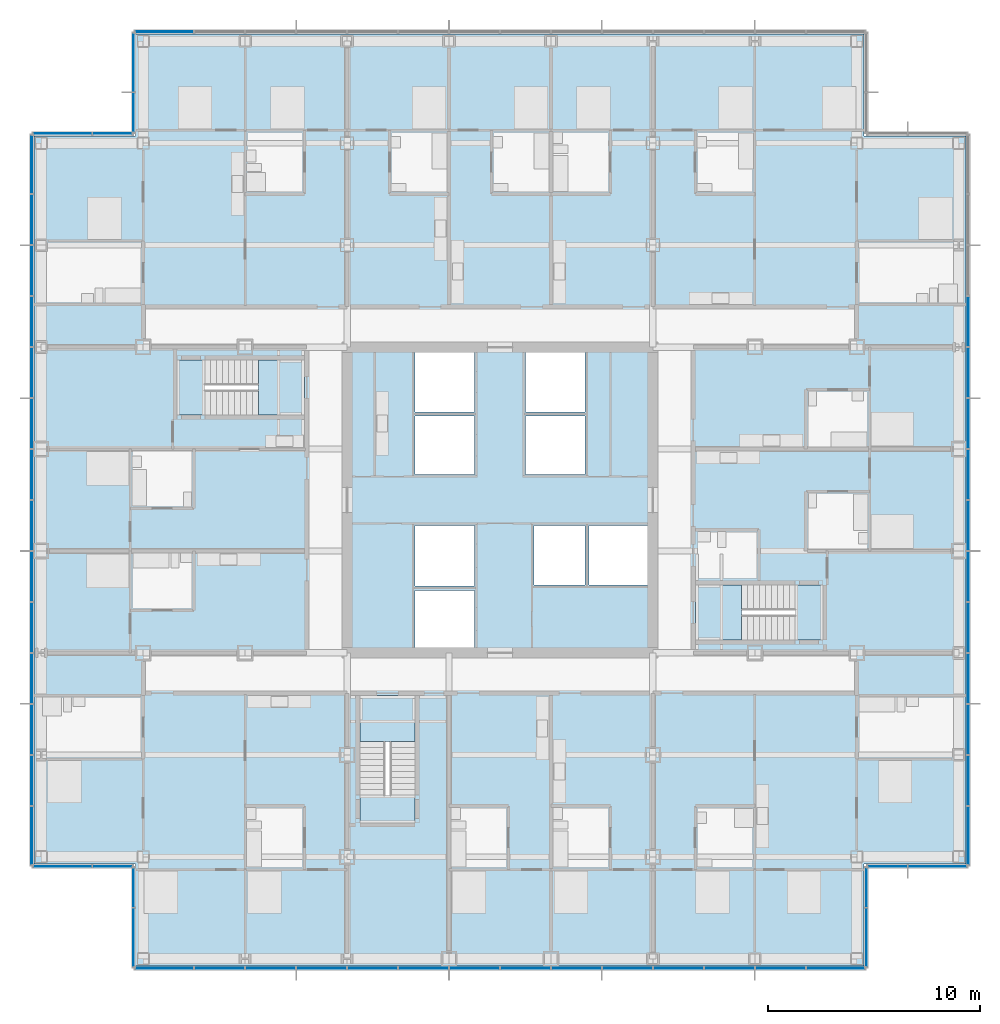
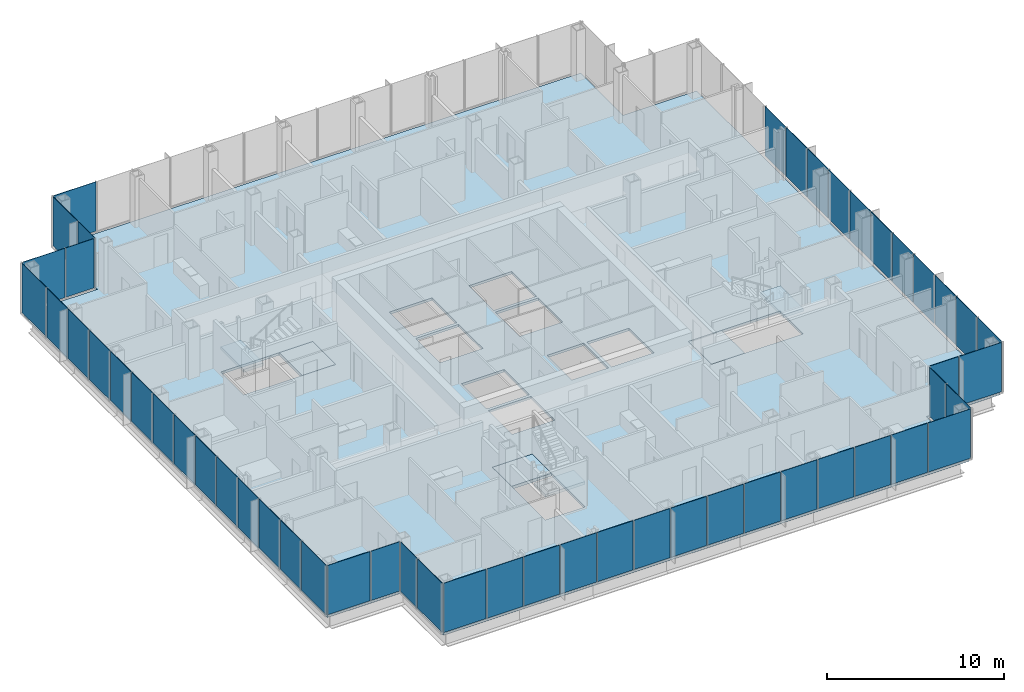
# One storey, part 12 of 21: 52 plates, 7 slabs, 13 elements without a shape of their own.
"""IFC4 building model written with IfcOpenShell, lengths in metres."""

from ifc_helpers import new_model, si_unit, direction, frame, origin, origin_2d, place, context, subcontext, project, spatial, polyline, rectangle, outline, extrude, material, layer, layer_set, type_object, element, aggregate, save


model = new_model("IFC4")

# Units and contexts
model_context = context("Model", 3, precision=1e-05, world=origin(), true_north=direction((0.0, 1.0)))
body_context = subcontext(model_context, "Body", "Model", "MODEL_VIEW")
ifc_project = project(units=[si_unit("LENGTHUNIT", "METRE"), si_unit("AREAUNIT", "SQUARE_METRE"), si_unit("VOLUMEUNIT", "CUBIC_METRE"), si_unit("PLANEANGLEUNIT", "RADIAN"), si_unit("MASSUNIT", "GRAM", prefix="KILO")], contexts=[model_context])

# Site, building, storey
site_placement = place(None, origin())
site = spatial("IfcSite", under=ifc_project, at=site_placement, CompositionType="ELEMENT")
building_placement = place(site_placement, origin())
building = spatial("IfcBuilding", under=site, at=building_placement, Name="Kvirike Care Tower", CompositionType="ELEMENT")
storey_placement = place(building_placement, frame((0.0, 0.0, 51.5)))
storey = spatial("IfcBuildingStorey", under=building, at=storey_placement, Name="L13", CompositionType="ELEMENT", Elevation=51.5)

# Slab
ifc_material_1 = material(Name="Concrete C35/45", Category="concrete")
ifc_layer_1 = layer(ifc_material_1, 0.169921875)
ifc_layer_set_1 = layer_set([ifc_layer_1], Name="FLOOR SLAB 170")
slab_type_1 = type_object("IfcSlabType", Name="FLOOR SLAB 170", PredefinedType="FLOOR", material=ifc_layer_set_1)
slab_1_placement = place(storey_placement, frame((0.0, 0.0, -0.169921875)))
element("IfcSlab", 1, at=slab_1_placement, inside=storey, type_object=slab_type_1, Name="Floor slab L13", PredefinedType="FLOOR", context=body_context, shape_type="SweptSolid", body=[
    extrude(outline(polyline([(-0.35009765625, 53.14990234375), (-0.35009765625, 18.85009765625), (4.449951171875, 18.85009765625), (4.449951171875, 14.050048828125), (38.75, 14.050048828125), (38.75, 18.85009765625), (43.550048828125, 18.85009765625), (43.550048828125, 53.14990234375), (38.75, 53.14990234375), (38.75, 57.949951171875), (4.449951171875, 57.949951171875), (4.449951171875, 53.14990234375), (-0.35009765625, 53.14990234375)]), holes=[polyline([(17.60009765625, 29.050048828125), (17.60009765625, 31.75), (20.39990234375, 31.75), (20.39990234375, 29.050048828125), (17.60009765625, 29.050048828125)]), polyline([(17.60009765625, 31.949951171875), (17.60009765625, 34.800048828125), (20.39990234375, 34.800048828125), (20.39990234375, 31.949951171875), (17.60009765625, 31.949951171875)]), polyline([(17.60009765625, 37.199951171875), (17.60009765625, 39.949951171875), (20.39990234375, 39.949951171875), (20.39990234375, 37.199951171875), (17.60009765625, 37.199951171875)]), polyline([(17.60009765625, 40.14990234375), (17.60009765625, 42.949951171875), (20.39990234375, 42.949951171875), (20.39990234375, 40.14990234375), (17.60009765625, 40.14990234375)]), polyline([(22.800048828125, 37.199951171875), (22.800048828125, 39.949951171875), (25.60009765625, 39.949951171875), (25.60009765625, 37.199951171875), (22.800048828125, 37.199951171875)]), polyline([(22.800048828125, 40.14990234375), (22.800048828125, 42.949951171875), (25.60009765625, 42.949951171875), (25.60009765625, 40.14990234375), (22.800048828125, 40.14990234375)]), polyline([(23.199951171875, 32.0), (23.199951171875, 34.800048828125), (25.60009765625, 34.800048828125), (25.60009765625, 32.0), (23.199951171875, 32.0)]), polyline([(25.800048828125, 32.0), (25.800048828125, 34.800048828125), (28.550048828125, 34.800048828125), (28.550048828125, 32.0), (25.800048828125, 32.0)]), polyline([(12.39990234375, 42.60009765625), (12.39990234375, 40.0), (6.39990234375, 40.0), (6.39990234375, 42.60009765625), (12.39990234375, 42.60009765625)]), polyline([(30.800048828125, 29.39990234375), (30.800048828125, 32.0), (36.800048828125, 32.0), (36.800048828125, 29.39990234375), (30.800048828125, 29.39990234375)]), polyline([(15.0, 26.800048828125), (17.60009765625, 26.800048828125), (17.60009765625, 20.800048828125), (15.0, 20.800048828125), (15.0, 26.800048828125)])]), origin(), (0.0, 0.0, 1.0), 0.169921875),
])

# Stair, slabs
ifc_material_2 = material(Name="Concrete C35/45", Category="concrete")
stair_type = type_object("IfcStairType", Name="STAIR 20 RISERS", PredefinedType="HALF_TURN_STAIR", material=ifc_material_2)
stair_1_placement = place(storey_placement, origin())
stair_1 = element("IfcStair", 2, at=stair_1_placement, inside=storey, type_object=stair_type, Name="Stair 1 L13", PredefinedType="HALF_TURN_STAIR")
ifc_material_3 = material(Name="Concrete C35/45", Category="concrete")
ifc_layer_2 = layer(ifc_material_3, 0.199951171875)
ifc_layer_set_2 = layer_set([ifc_layer_2], Name="STAIR LANDING 200")
slab_type_2 = type_object("IfcSlabType", Name="STAIR LANDING 200", PredefinedType="LANDING", material=ifc_layer_set_2)
slab_2_placement = place(storey_placement, frame((0.0, 0.0, -0.199951171875)))
slab_2 = element("IfcSlab", 3, at=slab_2_placement, type_object=slab_type_2, Name="Stair S1 floor landing L13", PredefinedType="LANDING", context=body_context, shape_type="SweptSolid", body=[
    extrude(outline(polyline([(10.219970703125, 42.60009765625), (10.219970703125, 40.0), (12.39990234375, 40.0), (12.39990234375, 42.60009765625), (10.219970703125, 42.60009765625)])), origin(), (0.0, 0.0, 1.0), 0.199951171875),
])
slab_3_placement = place(storey_placement, frame((0.0, 0.0, 1.550048828125)))
slab_3 = element("IfcSlab", 4, at=slab_3_placement, type_object=slab_type_2, Name="Stair S1 half landing L13-L14", PredefinedType="LANDING", context=body_context, shape_type="SweptSolid", body=[
    extrude(outline(polyline([(6.39990234375, 42.60009765625), (6.39990234375, 40.0), (7.699951171875, 40.0), (7.699951171875, 42.60009765625), (6.39990234375, 42.60009765625)])), origin(), (0.0, 0.0, 1.0), 0.199951171875),
])
aggregate(stair_1, [slab_2, slab_3])

stair_2_placement = place(storey_placement, origin())
stair_2 = element("IfcStair", 5, at=stair_2_placement, inside=storey, type_object=stair_type, Name="Stair 2 L13", PredefinedType="HALF_TURN_STAIR")
slab_4_placement = place(storey_placement, frame((0.0, 0.0, -0.199951171875)))
slab_4 = element("IfcSlab", 6, at=slab_4_placement, type_object=slab_type_2, Name="Stair S2 floor landing L13", PredefinedType="LANDING", context=body_context, shape_type="SweptSolid", body=[
    extrude(outline(polyline([(32.97998046875, 29.39990234375), (32.97998046875, 32.0), (30.800048828125, 32.0), (30.800048828125, 29.39990234375), (32.97998046875, 29.39990234375)])), origin(), (0.0, 0.0, 1.0), 0.199951171875),
])
slab_5_placement = place(storey_placement, frame((0.0, 0.0, 1.550048828125)))
slab_5 = element("IfcSlab", 7, at=slab_5_placement, type_object=slab_type_2, Name="Stair S2 half landing L13-L14", PredefinedType="LANDING", context=body_context, shape_type="SweptSolid", body=[
    extrude(outline(polyline([(36.800048828125, 29.39990234375), (36.800048828125, 32.0), (35.5, 32.0), (35.5, 29.39990234375), (36.800048828125, 29.39990234375)])), origin(), (0.0, 0.0, 1.0), 0.199951171875),
])
aggregate(stair_2, [slab_4, slab_5])

stair_3_placement = place(storey_placement, origin())
stair_3 = element("IfcStair", 8, at=stair_3_placement, inside=storey, type_object=stair_type, Name="Stair 5 L13", PredefinedType="HALF_TURN_STAIR")
slab_6_placement = place(storey_placement, frame((0.0, 0.0, -0.199951171875)))
slab_6 = element("IfcSlab", 9, at=slab_6_placement, type_object=slab_type_2, Name="Stair S5 floor landing L13", PredefinedType="LANDING", context=body_context, shape_type="SweptSolid", body=[
    extrude(outline(polyline([(15.0, 24.6201171875), (17.60009765625, 24.6201171875), (17.60009765625, 26.800048828125), (15.0, 26.800048828125), (15.0, 24.6201171875)])), origin(), (0.0, 0.0, 1.0), 0.199951171875),
])
slab_7_placement = place(storey_placement, frame((0.0, 0.0, 1.550048828125)))
slab_7 = element("IfcSlab", 10, at=slab_7_placement, type_object=slab_type_2, Name="Stair S5 half landing L13-L14", PredefinedType="LANDING", context=body_context, shape_type="SweptSolid", body=[
    extrude(outline(polyline([(15.0, 20.800048828125), (17.60009765625, 20.800048828125), (17.60009765625, 22.10009765625), (15.0, 22.10009765625), (15.0, 20.800048828125)])), origin(), (0.0, 0.0, 1.0), 0.199951171875),
])
aggregate(stair_3, [slab_6, slab_7])

# Curtain wall, plates
ifc_material_4 = material(Name="Anodised aluminium stick system", Category="aluminium")
curtain_wall_type = type_object("IfcCurtainWallType", Name="CW-A STICK CURTAIN WALL", PredefinedType="NOTDEFINED", material=ifc_material_4)
curtain_wall_1_placement = place(storey_placement, origin())
curtain_wall_1 = element("IfcCurtainWall", 11, at=curtain_wall_1_placement, inside=storey, type_object=curtain_wall_type, Name="Curtain wall L13 face 1", PredefinedType="NOTDEFINED")
ifc_material_5 = material(Name="Tinted double glazed unit", Category="glass")
ifc_layer_3 = layer(ifc_material_5, 0.031982421875)
ifc_layer_set_3 = layer_set([ifc_layer_3], Name="TINTED VISION PANEL 32")
plate_type = type_object("IfcPlateType", Name="TINTED VISION PANEL 32", PredefinedType="CURTAIN_PANEL", material=ifc_layer_set_3)
plate_1_placement = place(storey_placement, frame((-0.449951171875, 51.808837890625, 0.10009765625), z_axis=(0.0, 0.0, 1.0), x_axis=(0.0, -1.0, 0.0)))
plate_1 = element("IfcPlate", 12, at=plate_1_placement, type_object=plate_type, Name="CW-A panel L13 face 1.1", PredefinedType="CURTAIN_PANEL", context=body_context, shape_type="SweptSolid", body=[
    extrude(rectangle(XDim=2.75244140625, YDim=0.031982421875, at=origin_2d()), origin(), (0.0, 0.0, 1.0), 3.39990234375),
])
plate_2_placement = place(storey_placement, frame((-0.449951171875, 49.199951171875, 0.10009765625), z_axis=(0.0, 0.0, 1.0), x_axis=(0.0, -1.0, 0.0)))
plate_2 = element("IfcPlate", 13, at=plate_2_placement, type_object=plate_type, Name="CW-A panel L13 face 1.2", PredefinedType="CURTAIN_PANEL", context=body_context, shape_type="SweptSolid", body=[
    extrude(rectangle(XDim=2.3349609375, YDim=0.031982421875, at=origin_2d()), origin(), (0.0, 0.0, 1.0), 3.39990234375),
])
plate_3_placement = place(storey_placement, frame((-0.449951171875, 46.800048828125, 0.10009765625), z_axis=(0.0, 0.0, 1.0), x_axis=(0.0, -1.0, 0.0)))
plate_3 = element("IfcPlate", 14, at=plate_3_placement, type_object=plate_type, Name="CW-A panel L13 face 1.3", PredefinedType="CURTAIN_PANEL", context=body_context, shape_type="SweptSolid", body=[
    extrude(rectangle(XDim=2.3349609375, YDim=0.031982421875, at=origin_2d()), origin(), (0.0, 0.0, 1.0), 3.39990234375),
])
plate_4_placement = place(storey_placement, frame((-0.449951171875, 44.39990234375, 0.10009765625), z_axis=(0.0, 0.0, 1.0), x_axis=(0.0, -1.0, 0.0)))
plate_4 = element("IfcPlate", 15, at=plate_4_placement, type_object=plate_type, Name="CW-A panel L13 face 1.4", PredefinedType="CURTAIN_PANEL", context=body_context, shape_type="SweptSolid", body=[
    extrude(rectangle(XDim=2.3349609375, YDim=0.031982421875, at=origin_2d()), origin(), (0.0, 0.0, 1.0), 3.39990234375),
])
plate_5_placement = place(storey_placement, frame((-0.449951171875, 42.0, 0.10009765625), z_axis=(0.0, 0.0, 1.0), x_axis=(0.0, -1.0, 0.0)))
plate_5 = element("IfcPlate", 16, at=plate_5_placement, type_object=plate_type, Name="CW-A panel L13 face 1.5", PredefinedType="CURTAIN_PANEL", context=body_context, shape_type="SweptSolid", body=[
    extrude(rectangle(XDim=2.3349609375, YDim=0.031982421875, at=origin_2d()), origin(), (0.0, 0.0, 1.0), 3.39990234375),
])
plate_6_placement = place(storey_placement, frame((-0.449951171875, 39.60009765625, 0.10009765625), z_axis=(0.0, 0.0, 1.0), x_axis=(0.0, -1.0, 0.0)))
plate_6 = element("IfcPlate", 17, at=plate_6_placement, type_object=plate_type, Name="CW-A panel L13 face 1.6", PredefinedType="CURTAIN_PANEL", context=body_context, shape_type="SweptSolid", body=[
    extrude(rectangle(XDim=2.3349609375, YDim=0.031982421875, at=origin_2d()), origin(), (0.0, 0.0, 1.0), 3.39990234375),
])
plate_7_placement = place(storey_placement, frame((-0.449951171875, 37.199951171875, 0.10009765625), z_axis=(0.0, 0.0, 1.0), x_axis=(0.0, -1.0, 0.0)))
plate_7 = element("IfcPlate", 18, at=plate_7_placement, type_object=plate_type, Name="CW-A panel L13 face 1.7", PredefinedType="CURTAIN_PANEL", context=body_context, shape_type="SweptSolid", body=[
    extrude(rectangle(XDim=2.3349609375, YDim=0.031982421875, at=origin_2d()), origin(), (0.0, 0.0, 1.0), 3.39990234375),
])
plate_8_placement = place(storey_placement, frame((-0.449951171875, 34.800048828125, 0.10009765625), z_axis=(0.0, 0.0, 1.0), x_axis=(0.0, -1.0, 0.0)))
plate_8 = element("IfcPlate", 19, at=plate_8_placement, type_object=plate_type, Name="CW-A panel L13 face 1.8", PredefinedType="CURTAIN_PANEL", context=body_context, shape_type="SweptSolid", body=[
    extrude(rectangle(XDim=2.3349609375, YDim=0.031982421875, at=origin_2d()), origin(), (0.0, 0.0, 1.0), 3.39990234375),
])
plate_9_placement = place(storey_placement, frame((-0.449951171875, 32.39990234375, 0.10009765625), z_axis=(0.0, 0.0, 1.0), x_axis=(0.0, -1.0, 0.0)))
plate_9 = element("IfcPlate", 20, at=plate_9_placement, type_object=plate_type, Name="CW-A panel L13 face 1.9", PredefinedType="CURTAIN_PANEL", context=body_context, shape_type="SweptSolid", body=[
    extrude(rectangle(XDim=2.3349609375, YDim=0.031982421875, at=origin_2d()), origin(), (0.0, 0.0, 1.0), 3.39990234375),
])
plate_10_placement = place(storey_placement, frame((-0.449951171875, 30.0, 0.10009765625), z_axis=(0.0, 0.0, 1.0), x_axis=(0.0, -1.0, 0.0)))
plate_10 = element("IfcPlate", 21, at=plate_10_placement, type_object=plate_type, Name="CW-A panel L13 face 1.10", PredefinedType="CURTAIN_PANEL", context=body_context, shape_type="SweptSolid", body=[
    extrude(rectangle(XDim=2.3349609375, YDim=0.031982421875, at=origin_2d()), origin(), (0.0, 0.0, 1.0), 3.39990234375),
])
plate_11_placement = place(storey_placement, frame((-0.449951171875, 27.60009765625, 0.10009765625), z_axis=(0.0, 0.0, 1.0), x_axis=(0.0, -1.0, 0.0)))
plate_11 = element("IfcPlate", 22, at=plate_11_placement, type_object=plate_type, Name="CW-A panel L13 face 1.11", PredefinedType="CURTAIN_PANEL", context=body_context, shape_type="SweptSolid", body=[
    extrude(rectangle(XDim=2.3349609375, YDim=0.031982421875, at=origin_2d()), origin(), (0.0, 0.0, 1.0), 3.39990234375),
])
plate_12_placement = place(storey_placement, frame((-0.449951171875, 25.199951171875, 0.10009765625), z_axis=(0.0, 0.0, 1.0), x_axis=(0.0, -1.0, 0.0)))
plate_12 = element("IfcPlate", 23, at=plate_12_placement, type_object=plate_type, Name="CW-A panel L13 face 1.12", PredefinedType="CURTAIN_PANEL", context=body_context, shape_type="SweptSolid", body=[
    extrude(rectangle(XDim=2.3349609375, YDim=0.031982421875, at=origin_2d()), origin(), (0.0, 0.0, 1.0), 3.39990234375),
])
plate_13_placement = place(storey_placement, frame((-0.449951171875, 22.800048828125, 0.10009765625), z_axis=(0.0, 0.0, 1.0), x_axis=(0.0, -1.0, 0.0)))
plate_13 = element("IfcPlate", 24, at=plate_13_placement, type_object=plate_type, Name="CW-A panel L13 face 1.13", PredefinedType="CURTAIN_PANEL", context=body_context, shape_type="SweptSolid", body=[
    extrude(rectangle(XDim=2.3349609375, YDim=0.031982421875, at=origin_2d()), origin(), (0.0, 0.0, 1.0), 3.39990234375),
])
plate_14_placement = place(storey_placement, frame((-0.449951171875, 20.191162109375, 0.10009765625), z_axis=(0.0, 0.0, 1.0), x_axis=(0.0, -1.0, 0.0)))
plate_14 = element("IfcPlate", 25, at=plate_14_placement, type_object=plate_type, Name="CW-A panel L13 face 1.14", PredefinedType="CURTAIN_PANEL", context=body_context, shape_type="SweptSolid", body=[
    extrude(rectangle(XDim=2.75244140625, YDim=0.031982421875, at=origin_2d()), origin(), (0.0, 0.0, 1.0), 3.39990234375),
])
aggregate(curtain_wall_1, [plate_1, plate_2, plate_3, plate_4, plate_5, plate_6, plate_7, plate_8, plate_9, plate_10, plate_11, plate_12, plate_13, plate_14])

curtain_wall_2_placement = place(storey_placement, origin())
curtain_wall_2 = element("IfcCurtainWall", 26, at=curtain_wall_2_placement, inside=storey, type_object=curtain_wall_type, Name="Curtain wall L13 face 2", PredefinedType="NOTDEFINED")
plate_15_placement = place(storey_placement, frame((0.9912109375, 18.75, 0.10009765625), z_axis=(0.0, 0.0, 1.0), x_axis=(1.0, 0.0, 0.0)))
plate_15 = element("IfcPlate", 27, at=plate_15_placement, type_object=plate_type, Name="CW-A panel L13 face 2.1", PredefinedType="CURTAIN_PANEL", context=body_context, shape_type="SweptSolid", body=[
    extrude(rectangle(XDim=2.75244140625, YDim=0.031982421875, at=origin_2d()), origin(), (0.0, 0.0, 1.0), 3.39990234375),
])
plate_16_placement = place(storey_placement, frame((3.358642578125, 18.75, 0.10009765625), z_axis=(0.0, 0.0, 1.0), x_axis=(1.0, 0.0, 0.0)))
plate_16 = element("IfcPlate", 28, at=plate_16_placement, type_object=plate_type, Name="CW-A panel L13 face 2.2", PredefinedType="CURTAIN_PANEL", context=body_context, shape_type="SweptSolid", body=[
    extrude(rectangle(XDim=1.8525390625, YDim=0.031982421875, at=origin_2d()), origin(), (0.0, 0.0, 1.0), 3.39990234375),
])
aggregate(curtain_wall_2, [plate_15, plate_16])

curtain_wall_3_placement = place(storey_placement, origin())
curtain_wall_3 = element("IfcCurtainWall", 29, at=curtain_wall_3_placement, inside=storey, type_object=curtain_wall_type, Name="Curtain wall L13 face 3", PredefinedType="NOTDEFINED")
plate_17_placement = place(storey_placement, frame((4.35009765625, 17.7587890625, 0.10009765625), z_axis=(0.0, 0.0, 1.0), x_axis=(0.0, -1.0, 0.0)))
plate_17 = element("IfcPlate", 30, at=plate_17_placement, type_object=plate_type, Name="CW-A panel L13 face 3.1", PredefinedType="CURTAIN_PANEL", context=body_context, shape_type="SweptSolid", body=[
    extrude(rectangle(XDim=1.8525390625, YDim=0.031982421875, at=origin_2d()), origin(), (0.0, 0.0, 1.0), 3.39990234375),
])
plate_18_placement = place(storey_placement, frame((4.35009765625, 15.391357421875, 0.10009765625), z_axis=(0.0, 0.0, 1.0), x_axis=(0.0, -1.0, 0.0)))
plate_18 = element("IfcPlate", 31, at=plate_18_placement, type_object=plate_type, Name="CW-A panel L13 face 3.2", PredefinedType="CURTAIN_PANEL", context=body_context, shape_type="SweptSolid", body=[
    extrude(rectangle(XDim=2.75244140625, YDim=0.031982421875, at=origin_2d()), origin(), (0.0, 0.0, 1.0), 3.39990234375),
])
aggregate(curtain_wall_3, [plate_17, plate_18])

curtain_wall_4_placement = place(storey_placement, origin())
curtain_wall_4 = element("IfcCurtainWall", 32, at=curtain_wall_4_placement, inside=storey, type_object=curtain_wall_type, Name="Curtain wall L13 face 4", PredefinedType="NOTDEFINED")
plate_19_placement = place(storey_placement, frame((5.791259765625, 13.949951171875, 0.10009765625), z_axis=(0.0, 0.0, 1.0), x_axis=(1.0, 0.0, 0.0)))
plate_19 = element("IfcPlate", 33, at=plate_19_placement, type_object=plate_type, Name="CW-A panel L13 face 4.1", PredefinedType="CURTAIN_PANEL", context=body_context, shape_type="SweptSolid", body=[
    extrude(rectangle(XDim=2.75244140625, YDim=0.031982421875, at=origin_2d()), origin(), (0.0, 0.0, 1.0), 3.39990234375),
])
plate_20_placement = place(storey_placement, frame((8.39990234375, 13.949951171875, 0.10009765625), z_axis=(0.0, 0.0, 1.0), x_axis=(1.0, 0.0, 0.0)))
plate_20 = element("IfcPlate", 34, at=plate_20_placement, type_object=plate_type, Name="CW-A panel L13 face 4.2", PredefinedType="CURTAIN_PANEL", context=body_context, shape_type="SweptSolid", body=[
    extrude(rectangle(XDim=2.3349609375, YDim=0.031982421875, at=origin_2d()), origin(), (0.0, 0.0, 1.0), 3.39990234375),
])
plate_21_placement = place(storey_placement, frame((10.800048828125, 13.949951171875, 0.10009765625), z_axis=(0.0, 0.0, 1.0), x_axis=(1.0, 0.0, 0.0)))
plate_21 = element("IfcPlate", 35, at=plate_21_placement, type_object=plate_type, Name="CW-A panel L13 face 4.3", PredefinedType="CURTAIN_PANEL", context=body_context, shape_type="SweptSolid", body=[
    extrude(rectangle(XDim=2.3349609375, YDim=0.031982421875, at=origin_2d()), origin(), (0.0, 0.0, 1.0), 3.39990234375),
])
plate_22_placement = place(storey_placement, frame((13.199951171875, 13.949951171875, 0.10009765625), z_axis=(0.0, 0.0, 1.0), x_axis=(1.0, 0.0, 0.0)))
plate_22 = element("IfcPlate", 36, at=plate_22_placement, type_object=plate_type, Name="CW-A panel L13 face 4.4", PredefinedType="CURTAIN_PANEL", context=body_context, shape_type="SweptSolid", body=[
    extrude(rectangle(XDim=2.3349609375, YDim=0.031982421875, at=origin_2d()), origin(), (0.0, 0.0, 1.0), 3.39990234375),
])
plate_23_placement = place(storey_placement, frame((15.60009765625, 13.949951171875, 0.10009765625), z_axis=(0.0, 0.0, 1.0), x_axis=(1.0, 0.0, 0.0)))
plate_23 = element("IfcPlate", 37, at=plate_23_placement, type_object=plate_type, Name="CW-A panel L13 face 4.5", PredefinedType="CURTAIN_PANEL", context=body_context, shape_type="SweptSolid", body=[
    extrude(rectangle(XDim=2.3349609375, YDim=0.031982421875, at=origin_2d()), origin(), (0.0, 0.0, 1.0), 3.39990234375),
])
plate_24_placement = place(storey_placement, frame((18.0, 13.949951171875, 0.10009765625), z_axis=(0.0, 0.0, 1.0), x_axis=(1.0, 0.0, 0.0)))
plate_24 = element("IfcPlate", 38, at=plate_24_placement, type_object=plate_type, Name="CW-A panel L13 face 4.6", PredefinedType="CURTAIN_PANEL", context=body_context, shape_type="SweptSolid", body=[
    extrude(rectangle(XDim=2.3349609375, YDim=0.031982421875, at=origin_2d()), origin(), (0.0, 0.0, 1.0), 3.39990234375),
])
plate_25_placement = place(storey_placement, frame((20.39990234375, 13.949951171875, 0.10009765625), z_axis=(0.0, 0.0, 1.0), x_axis=(1.0, 0.0, 0.0)))
plate_25 = element("IfcPlate", 39, at=plate_25_placement, type_object=plate_type, Name="CW-A panel L13 face 4.7", PredefinedType="CURTAIN_PANEL", context=body_context, shape_type="SweptSolid", body=[
    extrude(rectangle(XDim=2.3349609375, YDim=0.031982421875, at=origin_2d()), origin(), (0.0, 0.0, 1.0), 3.39990234375),
])
plate_26_placement = place(storey_placement, frame((22.800048828125, 13.949951171875, 0.10009765625), z_axis=(0.0, 0.0, 1.0), x_axis=(1.0, 0.0, 0.0)))
plate_26 = element("IfcPlate", 40, at=plate_26_placement, type_object=plate_type, Name="CW-A panel L13 face 4.8", PredefinedType="CURTAIN_PANEL", context=body_context, shape_type="SweptSolid", body=[
    extrude(rectangle(XDim=2.3349609375, YDim=0.031982421875, at=origin_2d()), origin(), (0.0, 0.0, 1.0), 3.39990234375),
])
plate_27_placement = place(storey_placement, frame((25.199951171875, 13.949951171875, 0.10009765625), z_axis=(0.0, 0.0, 1.0), x_axis=(1.0, 0.0, 0.0)))
plate_27 = element("IfcPlate", 41, at=plate_27_placement, type_object=plate_type, Name="CW-A panel L13 face 4.9", PredefinedType="CURTAIN_PANEL", context=body_context, shape_type="SweptSolid", body=[
    extrude(rectangle(XDim=2.3349609375, YDim=0.031982421875, at=origin_2d()), origin(), (0.0, 0.0, 1.0), 3.39990234375),
])
plate_28_placement = place(storey_placement, frame((27.60009765625, 13.949951171875, 0.10009765625), z_axis=(0.0, 0.0, 1.0), x_axis=(1.0, 0.0, 0.0)))
plate_28 = element("IfcPlate", 42, at=plate_28_placement, type_object=plate_type, Name="CW-A panel L13 face 4.10", PredefinedType="CURTAIN_PANEL", context=body_context, shape_type="SweptSolid", body=[
    extrude(rectangle(XDim=2.3349609375, YDim=0.031982421875, at=origin_2d()), origin(), (0.0, 0.0, 1.0), 3.39990234375),
])
plate_29_placement = place(storey_placement, frame((30.0, 13.949951171875, 0.10009765625), z_axis=(0.0, 0.0, 1.0), x_axis=(1.0, 0.0, 0.0)))
plate_29 = element("IfcPlate", 43, at=plate_29_placement, type_object=plate_type, Name="CW-A panel L13 face 4.11", PredefinedType="CURTAIN_PANEL", context=body_context, shape_type="SweptSolid", body=[
    extrude(rectangle(XDim=2.3349609375, YDim=0.031982421875, at=origin_2d()), origin(), (0.0, 0.0, 1.0), 3.39990234375),
])
plate_30_placement = place(storey_placement, frame((32.39990234375, 13.949951171875, 0.10009765625), z_axis=(0.0, 0.0, 1.0), x_axis=(1.0, 0.0, 0.0)))
plate_30 = element("IfcPlate", 44, at=plate_30_placement, type_object=plate_type, Name="CW-A panel L13 face 4.12", PredefinedType="CURTAIN_PANEL", context=body_context, shape_type="SweptSolid", body=[
    extrude(rectangle(XDim=2.3349609375, YDim=0.031982421875, at=origin_2d()), origin(), (0.0, 0.0, 1.0), 3.39990234375),
])
plate_31_placement = place(storey_placement, frame((34.800048828125, 13.949951171875, 0.10009765625), z_axis=(0.0, 0.0, 1.0), x_axis=(1.0, 0.0, 0.0)))
plate_31 = element("IfcPlate", 45, at=plate_31_placement, type_object=plate_type, Name="CW-A panel L13 face 4.13", PredefinedType="CURTAIN_PANEL", context=body_context, shape_type="SweptSolid", body=[
    extrude(rectangle(XDim=2.3349609375, YDim=0.031982421875, at=origin_2d()), origin(), (0.0, 0.0, 1.0), 3.39990234375),
])
plate_32_placement = place(storey_placement, frame((37.40869140625, 13.949951171875, 0.10009765625), z_axis=(0.0, 0.0, 1.0), x_axis=(1.0, 0.0, 0.0)))
plate_32 = element("IfcPlate", 46, at=plate_32_placement, type_object=plate_type, Name="CW-A panel L13 face 4.14", PredefinedType="CURTAIN_PANEL", context=body_context, shape_type="SweptSolid", body=[
    extrude(rectangle(XDim=2.75244140625, YDim=0.031982421875, at=origin_2d()), origin(), (0.0, 0.0, 1.0), 3.39990234375),
])
aggregate(curtain_wall_4, [plate_19, plate_20, plate_21, plate_22, plate_23, plate_24, plate_25, plate_26, plate_27, plate_28, plate_29, plate_30, plate_31, plate_32])

curtain_wall_5_placement = place(storey_placement, origin())
curtain_wall_5 = element("IfcCurtainWall", 47, at=curtain_wall_5_placement, inside=storey, type_object=curtain_wall_type, Name="Curtain wall L13 face 5", PredefinedType="NOTDEFINED")
plate_33_placement = place(storey_placement, frame((38.85009765625, 15.391357421875, 0.10009765625), z_axis=(0.0, 0.0, 1.0), x_axis=(0.0, 1.0, 0.0)))
plate_33 = element("IfcPlate", 48, at=plate_33_placement, type_object=plate_type, Name="CW-A panel L13 face 5.1", PredefinedType="CURTAIN_PANEL", context=body_context, shape_type="SweptSolid", body=[
    extrude(rectangle(XDim=2.75244140625, YDim=0.031982421875, at=origin_2d()), origin(), (0.0, 0.0, 1.0), 3.39990234375),
])
plate_34_placement = place(storey_placement, frame((38.85009765625, 17.7587890625, 0.10009765625), z_axis=(0.0, 0.0, 1.0), x_axis=(0.0, 1.0, 0.0)))
plate_34 = element("IfcPlate", 49, at=plate_34_placement, type_object=plate_type, Name="CW-A panel L13 face 5.2", PredefinedType="CURTAIN_PANEL", context=body_context, shape_type="SweptSolid", body=[
    extrude(rectangle(XDim=1.8525390625, YDim=0.031982421875, at=origin_2d()), origin(), (0.0, 0.0, 1.0), 3.39990234375),
])
aggregate(curtain_wall_5, [plate_33, plate_34])

curtain_wall_6_placement = place(storey_placement, origin())
curtain_wall_6 = element("IfcCurtainWall", 50, at=curtain_wall_6_placement, inside=storey, type_object=curtain_wall_type, Name="Curtain wall L13 face 6", PredefinedType="NOTDEFINED")
plate_35_placement = place(storey_placement, frame((39.84130859375, 18.75, 0.10009765625), z_axis=(0.0, 0.0, 1.0), x_axis=(1.0, 0.0, 0.0)))
plate_35 = element("IfcPlate", 51, at=plate_35_placement, type_object=plate_type, Name="CW-A panel L13 face 6.1", PredefinedType="CURTAIN_PANEL", context=body_context, shape_type="SweptSolid", body=[
    extrude(rectangle(XDim=1.8525390625, YDim=0.031982421875, at=origin_2d()), origin(), (0.0, 0.0, 1.0), 3.39990234375),
])
plate_36_placement = place(storey_placement, frame((42.208740234375, 18.75, 0.10009765625), z_axis=(0.0, 0.0, 1.0), x_axis=(1.0, 0.0, 0.0)))
plate_36 = element("IfcPlate", 52, at=plate_36_placement, type_object=plate_type, Name="CW-A panel L13 face 6.2", PredefinedType="CURTAIN_PANEL", context=body_context, shape_type="SweptSolid", body=[
    extrude(rectangle(XDim=2.75244140625, YDim=0.031982421875, at=origin_2d()), origin(), (0.0, 0.0, 1.0), 3.39990234375),
])
aggregate(curtain_wall_6, [plate_35, plate_36])

curtain_wall_7_placement = place(storey_placement, origin())
curtain_wall_7 = element("IfcCurtainWall", 53, at=curtain_wall_7_placement, inside=storey, type_object=curtain_wall_type, Name="Curtain wall L13 face 7", PredefinedType="NOTDEFINED")
plate_37_placement = place(storey_placement, frame((43.64990234375, 20.191162109375, 0.10009765625), z_axis=(0.0, 0.0, 1.0), x_axis=(0.0, 1.0, 0.0)))
plate_37 = element("IfcPlate", 54, at=plate_37_placement, type_object=plate_type, Name="CW-A panel L13 face 7.1", PredefinedType="CURTAIN_PANEL", context=body_context, shape_type="SweptSolid", body=[
    extrude(rectangle(XDim=2.75244140625, YDim=0.031982421875, at=origin_2d()), origin(), (0.0, 0.0, 1.0), 3.39990234375),
])
plate_38_placement = place(storey_placement, frame((43.64990234375, 22.800048828125, 0.10009765625), z_axis=(0.0, 0.0, 1.0), x_axis=(0.0, 1.0, 0.0)))
plate_38 = element("IfcPlate", 55, at=plate_38_placement, type_object=plate_type, Name="CW-A panel L13 face 7.2", PredefinedType="CURTAIN_PANEL", context=body_context, shape_type="SweptSolid", body=[
    extrude(rectangle(XDim=2.3349609375, YDim=0.031982421875, at=origin_2d()), origin(), (0.0, 0.0, 1.0), 3.39990234375),
])
plate_39_placement = place(storey_placement, frame((43.64990234375, 25.199951171875, 0.10009765625), z_axis=(0.0, 0.0, 1.0), x_axis=(0.0, 1.0, 0.0)))
plate_39 = element("IfcPlate", 56, at=plate_39_placement, type_object=plate_type, Name="CW-A panel L13 face 7.3", PredefinedType="CURTAIN_PANEL", context=body_context, shape_type="SweptSolid", body=[
    extrude(rectangle(XDim=2.3349609375, YDim=0.031982421875, at=origin_2d()), origin(), (0.0, 0.0, 1.0), 3.39990234375),
])
plate_40_placement = place(storey_placement, frame((43.64990234375, 27.60009765625, 0.10009765625), z_axis=(0.0, 0.0, 1.0), x_axis=(0.0, 1.0, 0.0)))
plate_40 = element("IfcPlate", 57, at=plate_40_placement, type_object=plate_type, Name="CW-A panel L13 face 7.4", PredefinedType="CURTAIN_PANEL", context=body_context, shape_type="SweptSolid", body=[
    extrude(rectangle(XDim=2.3349609375, YDim=0.031982421875, at=origin_2d()), origin(), (0.0, 0.0, 1.0), 3.39990234375),
])
plate_41_placement = place(storey_placement, frame((43.64990234375, 30.0, 0.10009765625), z_axis=(0.0, 0.0, 1.0), x_axis=(0.0, 1.0, 0.0)))
plate_41 = element("IfcPlate", 58, at=plate_41_placement, type_object=plate_type, Name="CW-A panel L13 face 7.5", PredefinedType="CURTAIN_PANEL", context=body_context, shape_type="SweptSolid", body=[
    extrude(rectangle(XDim=2.3349609375, YDim=0.031982421875, at=origin_2d()), origin(), (0.0, 0.0, 1.0), 3.39990234375),
])
plate_42_placement = place(storey_placement, frame((43.64990234375, 32.39990234375, 0.10009765625), z_axis=(0.0, 0.0, 1.0), x_axis=(0.0, 1.0, 0.0)))
plate_42 = element("IfcPlate", 59, at=plate_42_placement, type_object=plate_type, Name="CW-A panel L13 face 7.6", PredefinedType="CURTAIN_PANEL", context=body_context, shape_type="SweptSolid", body=[
    extrude(rectangle(XDim=2.3349609375, YDim=0.031982421875, at=origin_2d()), origin(), (0.0, 0.0, 1.0), 3.39990234375),
])
plate_43_placement = place(storey_placement, frame((43.64990234375, 34.800048828125, 0.10009765625), z_axis=(0.0, 0.0, 1.0), x_axis=(0.0, 1.0, 0.0)))
plate_43 = element("IfcPlate", 60, at=plate_43_placement, type_object=plate_type, Name="CW-A panel L13 face 7.7", PredefinedType="CURTAIN_PANEL", context=body_context, shape_type="SweptSolid", body=[
    extrude(rectangle(XDim=2.3349609375, YDim=0.031982421875, at=origin_2d()), origin(), (0.0, 0.0, 1.0), 3.39990234375),
])
plate_44_placement = place(storey_placement, frame((43.64990234375, 37.199951171875, 0.10009765625), z_axis=(0.0, 0.0, 1.0), x_axis=(0.0, 1.0, 0.0)))
plate_44 = element("IfcPlate", 61, at=plate_44_placement, type_object=plate_type, Name="CW-A panel L13 face 7.8", PredefinedType="CURTAIN_PANEL", context=body_context, shape_type="SweptSolid", body=[
    extrude(rectangle(XDim=2.3349609375, YDim=0.031982421875, at=origin_2d()), origin(), (0.0, 0.0, 1.0), 3.39990234375),
])
plate_45_placement = place(storey_placement, frame((43.64990234375, 39.60009765625, 0.10009765625), z_axis=(0.0, 0.0, 1.0), x_axis=(0.0, 1.0, 0.0)))
plate_45 = element("IfcPlate", 62, at=plate_45_placement, type_object=plate_type, Name="CW-A panel L13 face 7.9", PredefinedType="CURTAIN_PANEL", context=body_context, shape_type="SweptSolid", body=[
    extrude(rectangle(XDim=2.3349609375, YDim=0.031982421875, at=origin_2d()), origin(), (0.0, 0.0, 1.0), 3.39990234375),
])
plate_46_placement = place(storey_placement, frame((43.64990234375, 42.0, 0.10009765625), z_axis=(0.0, 0.0, 1.0), x_axis=(0.0, 1.0, 0.0)))
plate_46 = element("IfcPlate", 63, at=plate_46_placement, type_object=plate_type, Name="CW-A panel L13 face 7.10", PredefinedType="CURTAIN_PANEL", context=body_context, shape_type="SweptSolid", body=[
    extrude(rectangle(XDim=2.3349609375, YDim=0.031982421875, at=origin_2d()), origin(), (0.0, 0.0, 1.0), 3.39990234375),
])
plate_47_placement = place(storey_placement, frame((43.64990234375, 44.39990234375, 0.10009765625), z_axis=(0.0, 0.0, 1.0), x_axis=(0.0, 1.0, 0.0)))
plate_47 = element("IfcPlate", 64, at=plate_47_placement, type_object=plate_type, Name="CW-A panel L13 face 7.11", PredefinedType="CURTAIN_PANEL", context=body_context, shape_type="SweptSolid", body=[
    extrude(rectangle(XDim=2.3349609375, YDim=0.031982421875, at=origin_2d()), origin(), (0.0, 0.0, 1.0), 3.39990234375),
])
aggregate(curtain_wall_7, [plate_37, plate_38, plate_39, plate_40, plate_41, plate_42, plate_43, plate_44, plate_45, plate_46, plate_47])

# Curtain wall, plate
curtain_wall_8_placement = place(storey_placement, origin())
curtain_wall_8 = element("IfcCurtainWall", 65, at=curtain_wall_8_placement, inside=storey, type_object=curtain_wall_type, Name="Curtain wall L13 face 10", PredefinedType="NOTDEFINED")
plate_48_placement = place(storey_placement, frame((5.791259765625, 58.050048828125, 0.10009765625), z_axis=(0.0, 0.0, 1.0), x_axis=(-1.0, 0.0, 0.0)))
plate_48 = element("IfcPlate", 66, at=plate_48_placement, type_object=plate_type, Name="CW-A panel L13 face 10.14", PredefinedType="CURTAIN_PANEL", context=body_context, shape_type="SweptSolid", body=[
    extrude(rectangle(XDim=2.75244140625, YDim=0.031982421875, at=origin_2d()), origin(), (0.0, 0.0, 1.0), 3.39990234375),
])
aggregate(curtain_wall_8, [plate_48])

# Curtain wall, plates
curtain_wall_9_placement = place(storey_placement, origin())
curtain_wall_9 = element("IfcCurtainWall", 67, at=curtain_wall_9_placement, inside=storey, type_object=curtain_wall_type, Name="Curtain wall L13 face 11", PredefinedType="NOTDEFINED")
plate_49_placement = place(storey_placement, frame((4.35009765625, 56.608642578125, 0.10009765625), z_axis=(0.0, 0.0, 1.0), x_axis=(0.0, -1.0, 0.0)))
plate_49 = element("IfcPlate", 68, at=plate_49_placement, type_object=plate_type, Name="CW-A panel L13 face 11.1", PredefinedType="CURTAIN_PANEL", context=body_context, shape_type="SweptSolid", body=[
    extrude(rectangle(XDim=2.75244140625, YDim=0.031982421875, at=origin_2d()), origin(), (0.0, 0.0, 1.0), 3.39990234375),
])
plate_50_placement = place(storey_placement, frame((4.35009765625, 54.2412109375, 0.10009765625), z_axis=(0.0, 0.0, 1.0), x_axis=(0.0, -1.0, 0.0)))
plate_50 = element("IfcPlate", 69, at=plate_50_placement, type_object=plate_type, Name="CW-A panel L13 face 11.2", PredefinedType="CURTAIN_PANEL", context=body_context, shape_type="SweptSolid", body=[
    extrude(rectangle(XDim=1.8525390625, YDim=0.031982421875, at=origin_2d()), origin(), (0.0, 0.0, 1.0), 3.39990234375),
])
aggregate(curtain_wall_9, [plate_49, plate_50])

curtain_wall_10_placement = place(storey_placement, origin())
curtain_wall_10 = element("IfcCurtainWall", 70, at=curtain_wall_10_placement, inside=storey, type_object=curtain_wall_type, Name="Curtain wall L13 face 12", PredefinedType="NOTDEFINED")
plate_51_placement = place(storey_placement, frame((3.358642578125, 53.25, 0.10009765625), z_axis=(0.0, 0.0, 1.0), x_axis=(-1.0, 0.0, 0.0)))
plate_51 = element("IfcPlate", 71, at=plate_51_placement, type_object=plate_type, Name="CW-A panel L13 face 12.1", PredefinedType="CURTAIN_PANEL", context=body_context, shape_type="SweptSolid", body=[
    extrude(rectangle(XDim=1.8525390625, YDim=0.031982421875, at=origin_2d()), origin(), (0.0, 0.0, 1.0), 3.39990234375),
])
plate_52_placement = place(storey_placement, frame((0.9912109375, 53.25, 0.10009765625), z_axis=(0.0, 0.0, 1.0), x_axis=(-1.0, 0.0, 0.0)))
plate_52 = element("IfcPlate", 72, at=plate_52_placement, type_object=plate_type, Name="CW-A panel L13 face 12.2", PredefinedType="CURTAIN_PANEL", context=body_context, shape_type="SweptSolid", body=[
    extrude(rectangle(XDim=2.75244140625, YDim=0.031982421875, at=origin_2d()), origin(), (0.0, 0.0, 1.0), 3.39990234375),
])
aggregate(curtain_wall_10, [plate_51, plate_52])

save(model, "model.ifc")
